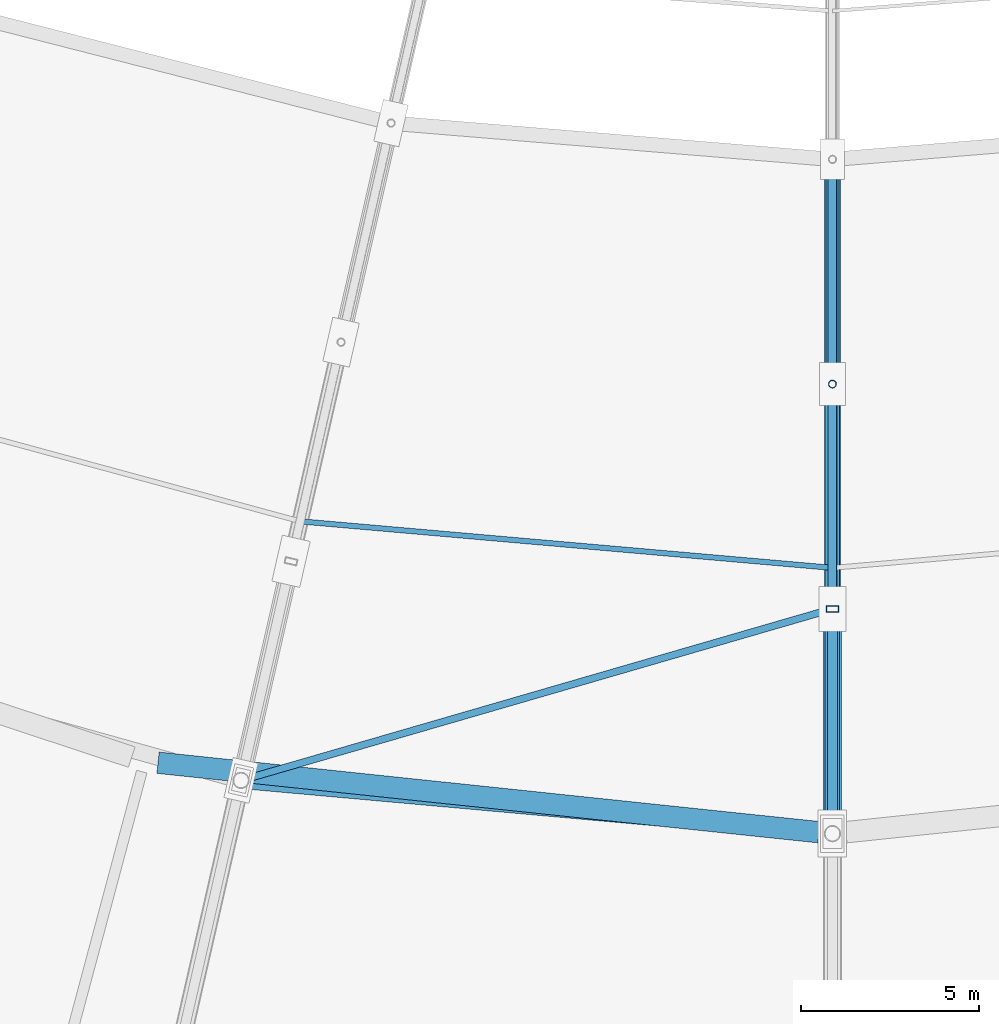
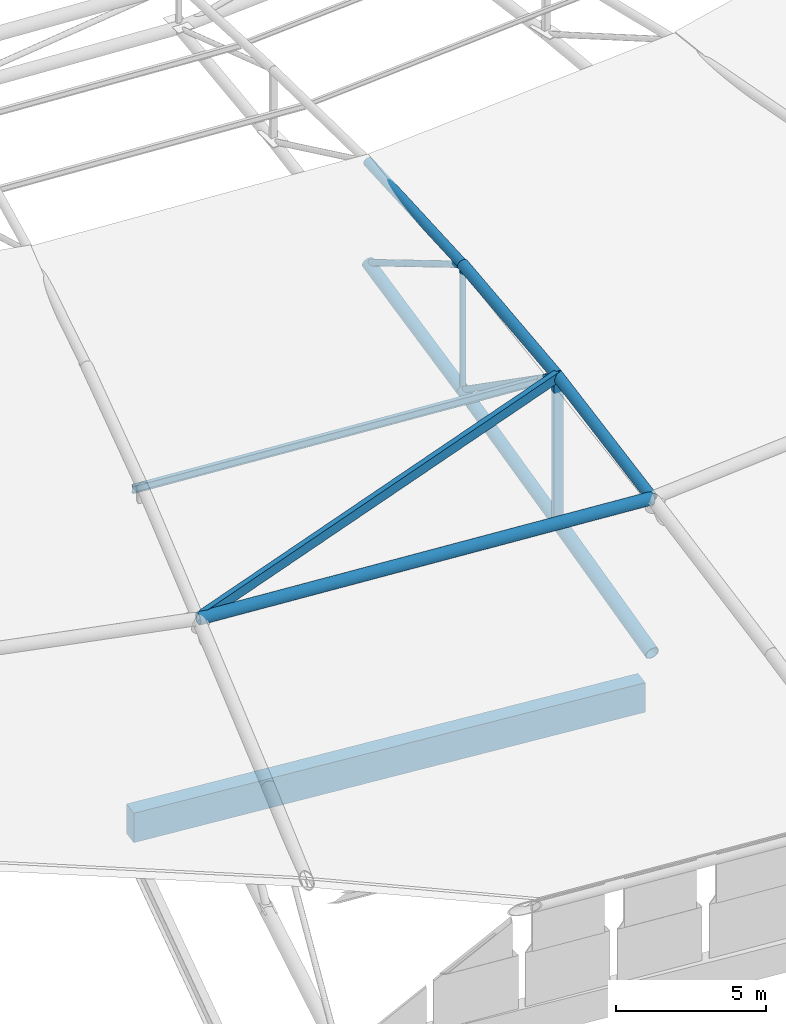
# One storey, part 15 of 108: 14 members, 1 beam.
"""IFC4 building model written with IfcOpenShell, lengths in metres."""

from ifc_helpers import new_model, si_unit, direction, frame, origin, origin_2d, place, context, subcontext, project, spatial, rectangle, hollow_rectangle, hollow_circle, i_section, extrude, material, material_profile, profile_set, type_object, element, save


model = new_model("IFC4")

# Units and contexts
model_context = context("Model", 3, precision=1e-05, world=origin(), true_north=direction((0.0, 1.0)))
body_context = subcontext(model_context, "Body", "Model", "MODEL_VIEW")
ifc_project = project(units=[si_unit("LENGTHUNIT", "METRE"), si_unit("AREAUNIT", "SQUARE_METRE"), si_unit("VOLUMEUNIT", "CUBIC_METRE"), si_unit("PLANEANGLEUNIT", "RADIAN"), si_unit("MASSUNIT", "GRAM", prefix="KILO")], contexts=[model_context])

# Site, building, storey
site_placement = place(None, origin())
site = spatial("IfcSite", under=ifc_project, at=site_placement, CompositionType="ELEMENT")
building_placement = place(site_placement, origin())
building = spatial("IfcBuilding", under=site, at=building_placement, Name="Zevraka Park Crest Stadium", CompositionType="ELEMENT")
storey_placement = place(building_placement, frame((0.0, 0.0, 29.39990234375)))
storey = spatial("IfcBuildingStorey", under=building, at=storey_placement, Name="RF", CompositionType="ELEMENT", Elevation=29.39990234375)

# Member
ifc_material_1 = material(Name="Steel S355", Category="steel")
ifc_material_profile_1 = material_profile(ifc_material_1, i_section(OverallWidth=0.14990234375, OverallDepth=0.300048828125, WebThickness=0.007080078125, FlangeThickness=0.0107421875, at=origin_2d()), Name="IPE 300")
ifc_profile_set_1 = profile_set([ifc_material_profile_1], Name="Steel S355")
member_type_1 = type_object("IfcMemberType", Name="PR02", PredefinedType="PURLIN", material=ifc_profile_set_1)
member_1_placement = place(storey_placement, frame((97.080078125, 41.25390625, 7.47314453125), z_axis=(0.996196972485, -0.087129742406, 0.0), x_axis=(0.087129742406, 0.996196972485, 0.0)))
element("IfcMember", 1, at=member_1_placement, inside=storey, type_object=member_type_1, Name="Canopy Roof Purlin PR02 OUTER-21-2", PredefinedType="PURLIN", context=body_context, shape_type="SweptSolid", body=[
    extrude(i_section(OverallWidth=0.14990234375, OverallDepth=0.300048828125, WebThickness=0.007080078125, FlangeThickness=0.0107421875, at=origin_2d()), origin(), (0.0, 0.0, 1.0), 14.976806640625),
])

# Beam
ifc_material_2 = material(Name="Concrete C40/50", Category="concrete")
ifc_material_profile_2 = material_profile(ifc_material_2, rectangle(XDim=0.60009765625, YDim=1.199951171875, at=origin_2d()), Name="RC 1200x600")
ifc_profile_set_2 = profile_set([ifc_material_profile_2], Name="Concrete C40/50")
beam_type = type_object("IfcBeamType", Name="RB01", PredefinedType="BEAM", material=ifc_profile_set_2)
beam_placement = place(storey_placement, frame((93.095947265625, 34.487060546875, -0.599853515625), z_axis=(0.994522746434, -0.1045203656, 0.0), x_axis=(0.1045203656, 0.994522746434, 0.0)))
element("IfcBeam", 2, at=beam_placement, inside=storey, type_object=beam_type, Name="Ring Beam RB01 RF-B-17", PredefinedType="BEAM", context=body_context, shape_type="SweptSolid", body=[
    extrude(rectangle(XDim=0.60009765625, YDim=1.199951171875, at=origin_2d()), origin(), (0.0, 0.0, 1.0), 18.628173828125),
])

# Members
ifc_material_3 = material(Name="Steel S355", Category="steel")
ifc_material_profile_3 = material_profile(ifc_material_3, hollow_circle(Radius=0.25390625, WallThickness=0.030029296875, at=origin_2d()), Name="CHS 508.0x30")
ifc_profile_set_3 = profile_set([ifc_material_profile_3], Name="Steel S355")
member_type_2 = type_object("IfcMemberType", Name="TC01", PredefinedType="CHORD", material=ifc_profile_set_3)
member_2_placement = place(storey_placement, frame((112.0, 32.5, 0.900146484375), z_axis=(0.0, 0.971041073831, 0.238912605222), x_axis=(-1.0, 0.0, 0.0)))
element("IfcMember", 3, at=member_2_placement, inside=storey, type_object=member_type_2, Name="Roof Truss Bottom Chord TC01 T22-3", PredefinedType="CHORD", context=body_context, shape_type="SweptSolid", body=[
    extrude(hollow_circle(Radius=0.25390625, WallThickness=0.030029296875, at=origin_2d()), origin(), (0.0, 0.0, 1.0), 6.488037109375),
])
ifc_material_4 = material(Name="Steel S355", Category="steel")
ifc_material_profile_4 = material_profile(ifc_material_4, hollow_circle(Radius=0.228515625, WallThickness=0.02490234375, at=origin_2d()), Name="CHS 457.0x25")
ifc_profile_set_4 = profile_set([ifc_material_profile_4], Name="Steel S355")
member_type_3 = type_object("IfcMemberType", Name="TC02", PredefinedType="CHORD", material=ifc_profile_set_4)
member_3_placement = place(storey_placement, frame((112.0, 38.800048828125, 2.4501953125), z_axis=(0.0, 0.972806619173, 0.231618828452), x_axis=(-1.0, 0.0, 0.0)))
element("IfcMember", 4, at=member_3_placement, inside=storey, type_object=member_type_3, Name="Roof Truss Bottom Chord TC02 T22-4", PredefinedType="CHORD", context=body_context, shape_type="SweptSolid", body=[
    extrude(hollow_circle(Radius=0.228515625, WallThickness=0.02490234375, at=origin_2d()), origin(), (0.0, 0.0, 1.0), 6.47607421875),
])
member_4_placement = place(storey_placement, frame((112.0, 45.10009765625, 3.9501953125), z_axis=(0.0, 0.977805741195, 0.209513561582), x_axis=(-1.0, 0.0, 0.0)))
element("IfcMember", 5, at=member_4_placement, inside=storey, type_object=member_type_3, Name="Roof Truss Bottom Chord TC02 T22-5", PredefinedType="CHORD", context=body_context, shape_type="SweptSolid", body=[
    extrude(hollow_circle(Radius=0.228515625, WallThickness=0.02490234375, at=origin_2d()), origin(), (0.0, 0.0, 1.0), 6.44287109375),
])
member_5_placement = place(storey_placement, frame((95.422119140625, 33.991943359375, 7.2001953125), z_axis=(0.995974792395, -0.089633771061, 0.0), x_axis=(0.089633771061, 0.995974792395, 0.0)))
element("IfcMember", 6, at=member_5_placement, inside=storey, type_object=member_type_3, Name="Roof Main Bowl-Rim Ring Chord TC02 21", PredefinedType="CHORD", context=body_context, shape_type="SweptSolid", body=[
    extrude(hollow_circle(Radius=0.228515625, WallThickness=0.02490234375, at=origin_2d()), origin(), (0.0, 0.0, 1.0), 16.644775390625),
])
ifc_material_5 = material(Name="Steel S355", Category="steel")
ifc_material_profile_5 = material_profile(ifc_material_5, hollow_circle(Radius=0.203125, WallThickness=0.02001953125, at=origin_2d()), Name="CHS 406.4x20")
ifc_profile_set_5 = profile_set([ifc_material_profile_5], Name="Steel S355")
member_type_4 = type_object("IfcMemberType", Name="TC03", PredefinedType="CHORD", material=ifc_profile_set_5)
member_6_placement = place(storey_placement, frame((112.0, 32.5, 7.2001953125), z_axis=(0.0, 0.983747689745, 0.179556350269), x_axis=(-1.0, 0.0, 0.0)))
element("IfcMember", 7, at=member_6_placement, inside=storey, type_object=member_type_4, Name="Roof Truss Top Chord TC03 T22-3", PredefinedType="CHORD", context=body_context, shape_type="SweptSolid", body=[
    extrude(hollow_circle(Radius=0.203125, WallThickness=0.02001953125, at=origin_2d()), origin(), (0.0, 0.0, 1.0), 6.404052734375),
])
member_7_placement = place(storey_placement, frame((112.0, 38.800048828125, 8.35009765625), z_axis=(0.0, 0.993884674033, 0.110423071515), x_axis=(-1.0, 0.0, 0.0)))
element("IfcMember", 8, at=member_7_placement, inside=storey, type_object=member_type_4, Name="Roof Truss Top Chord TC03 T22-4", PredefinedType="CHORD", context=body_context, shape_type="SweptSolid", body=[
    extrude(hollow_circle(Radius=0.203125, WallThickness=0.02001953125, at=origin_2d()), origin(), (0.0, 0.0, 1.0), 6.3388671875),
])
ifc_material_6 = material(Name="Steel S355", Category="steel")
ifc_material_profile_6 = material_profile(ifc_material_6, hollow_circle(Radius=0.177734375, WallThickness=0.01611328125, at=origin_2d()), Name="CHS 355.6x16")
ifc_profile_set_6 = profile_set([ifc_material_profile_6], Name="Steel S355")
member_type_5 = type_object("IfcMemberType", Name="TC05", PredefinedType="CHORD", material=ifc_profile_set_6)
member_8_placement = place(storey_placement, frame((112.0, 45.10009765625, 9.050048828125), z_axis=(0.0, 0.998459400591, 0.055487164023), x_axis=(-1.0, 0.0, 0.0)))
element("IfcMember", 9, at=member_8_placement, inside=storey, type_object=member_type_5, Name="Roof Truss Top Chord TC05 T22-5", PredefinedType="CHORD", context=body_context, shape_type="SweptSolid", body=[
    extrude(hollow_circle(Radius=0.177734375, WallThickness=0.01611328125, at=origin_2d()), origin(), (0.0, 0.0, 1.0), 6.3095703125),
])
ifc_material_7 = material(Name="Steel S355", Category="steel")
ifc_material_profile_7 = material_profile(ifc_material_7, hollow_circle(Radius=0.136474609375, WallThickness=0.012451171875, at=origin_2d()), Name="CHS 273.0x12.5")
ifc_profile_set_7 = profile_set([ifc_material_profile_7], Name="Steel S355")
member_type_6 = type_object("IfcMemberType", Name="WB01", PredefinedType="BRACE", material=ifc_profile_set_7)
member_9_placement = place(storey_placement, frame((112.0, 38.800048828125, 2.4501953125), z_axis=(0.0, -0.798478765103, 0.602022974379), x_axis=(1.0, 0.0, 0.0)))
element("IfcMember", 10, at=member_9_placement, inside=storey, type_object=member_type_6, Name="Roof Truss Web Diagonal WB01 T22-3", PredefinedType="BRACE", context=body_context, shape_type="SweptSolid", body=[
    extrude(hollow_circle(Radius=0.136474609375, WallThickness=0.012451171875, at=origin_2d()), origin(), (0.0, 0.0, 1.0), 7.89013671875),
])
ifc_material_8 = material(Name="Steel S355", Category="steel")
ifc_material_profile_8 = material_profile(ifc_material_8, hollow_circle(Radius=0.109619140625, WallThickness=0.010009765625, at=origin_2d()), Name="CHS 219.1x10")
ifc_profile_set_8 = profile_set([ifc_material_profile_8], Name="Steel S355")
member_type_7 = type_object("IfcMemberType", Name="WB02", PredefinedType="BRACE", material=ifc_profile_set_8)
member_10_placement = place(storey_placement, frame((112.0, 45.10009765625, 3.9501953125), z_axis=(0.0, 0.0, 1.0), x_axis=(0.0, 1.0, 0.0)))
element("IfcMember", 11, at=member_10_placement, inside=storey, type_object=member_type_7, Name="Roof Truss Web Post WB02 T22-4", PredefinedType="BRACE", context=body_context, shape_type="SweptSolid", body=[
    extrude(hollow_circle(Radius=0.109619140625, WallThickness=0.010009765625, at=origin_2d()), origin(), (0.0, 0.0, 1.0), 5.099853515625),
])
ifc_material_9 = material(Name="Steel S355", Category="steel")
ifc_material_profile_9 = material_profile(ifc_material_9, hollow_rectangle(XDim=0.199951171875, YDim=0.39990234375, WallThickness=0.01611328125, at=origin_2d()), Name="RHS 400x200x16")
ifc_profile_set_9 = profile_set([ifc_material_profile_9], Name="Steel S355")
member_type_8 = type_object("IfcMemberType", Name="WB06", PredefinedType="BRACE", material=ifc_profile_set_9)
member_11_placement = place(storey_placement, frame((95.422119140625, 33.991943359375, 7.2001953125), z_axis=(0.958296972686, 0.277936182202, 0.066470976854), x_axis=(-0.278552239773, 0.96042107938, 0.0)))
element("IfcMember", 12, at=member_11_placement, inside=storey, type_object=member_type_8, Name="Canopy Roof Wind Brace WB06 21", PredefinedType="BRACE", context=body_context, shape_type="SweptSolid", body=[
    extrude(hollow_rectangle(XDim=0.199951171875, YDim=0.39990234375, WallThickness=0.01611328125, at=origin_2d()), origin(), (0.0, 0.0, 1.0), 17.29931640625),
])
ifc_material_10 = material(Name="Steel S355", Category="steel")
ifc_material_profile_10 = material_profile(ifc_material_10, hollow_circle(Radius=0.122314453125, WallThickness=0.012451171875, at=origin_2d()), Name="CHS 244.5x12.5")
ifc_profile_set_10 = profile_set([ifc_material_profile_10], Name="Steel S355")
member_type_9 = type_object("IfcMemberType", Name="WB07", PredefinedType="BRACE", material=ifc_profile_set_10)
member_12_placement = place(storey_placement, frame((112.0, 45.10009765625, 3.9501953125), z_axis=(0.0, -0.819850870655, 0.572577112612), x_axis=(1.0, 0.0, 0.0)))
element("IfcMember", 13, at=member_12_placement, inside=storey, type_object=member_type_9, Name="Roof Truss Web Diagonal WB07 T22-4", PredefinedType="BRACE", context=body_context, shape_type="SweptSolid", body=[
    extrude(hollow_circle(Radius=0.122314453125, WallThickness=0.012451171875, at=origin_2d()), origin(), (0.0, 0.0, 1.0), 7.684326171875),
])
member_13_placement = place(storey_placement, frame((112.0, 51.39990234375, 5.300048828125), z_axis=(0.0, -0.859285914784, 0.511495568558), x_axis=(1.0, 0.0, 0.0)))
element("IfcMember", 14, at=member_13_placement, inside=storey, type_object=member_type_9, Name="Roof Truss Web Diagonal WB07 T22-5", PredefinedType="BRACE", context=body_context, shape_type="SweptSolid", body=[
    extrude(hollow_circle(Radius=0.122314453125, WallThickness=0.012451171875, at=origin_2d()), origin(), (0.0, 0.0, 1.0), 7.33154296875),
])
ifc_material_11 = material(Name="Steel S355", Category="steel")
ifc_material_profile_11 = material_profile(ifc_material_11, hollow_rectangle(XDim=0.175048828125, YDim=0.35009765625, WallThickness=0.012451171875, at=origin_2d()), Name="RHS 350x175x12.5")
ifc_profile_set_11 = profile_set([ifc_material_profile_11], Name="Steel S355")
member_type_10 = type_object("IfcMemberType", Name="WB09", PredefinedType="BRACE", material=ifc_profile_set_11)
member_14_placement = place(storey_placement, frame((112.0, 38.800048828125, 2.4501953125), z_axis=(0.0, 0.0, 1.0), x_axis=(0.0, 1.0, 0.0)))
element("IfcMember", 15, at=member_14_placement, inside=storey, type_object=member_type_10, Name="Roof Truss Web Post WB09 T22-3", PredefinedType="BRACE", context=body_context, shape_type="SweptSolid", body=[
    extrude(hollow_rectangle(XDim=0.175048828125, YDim=0.35009765625, WallThickness=0.012451171875, at=origin_2d()), origin(), (0.0, 0.0, 1.0), 5.89990234375),
])

save(model, "model.ifc")
